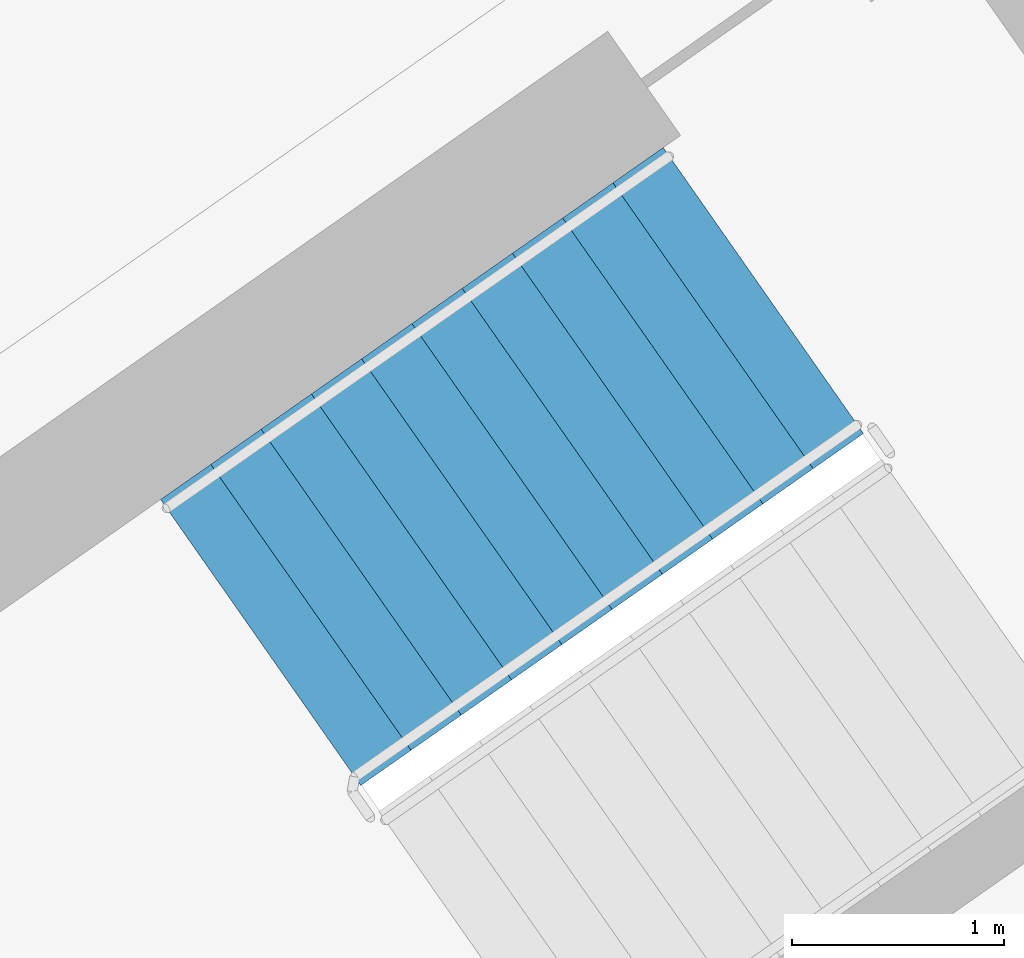
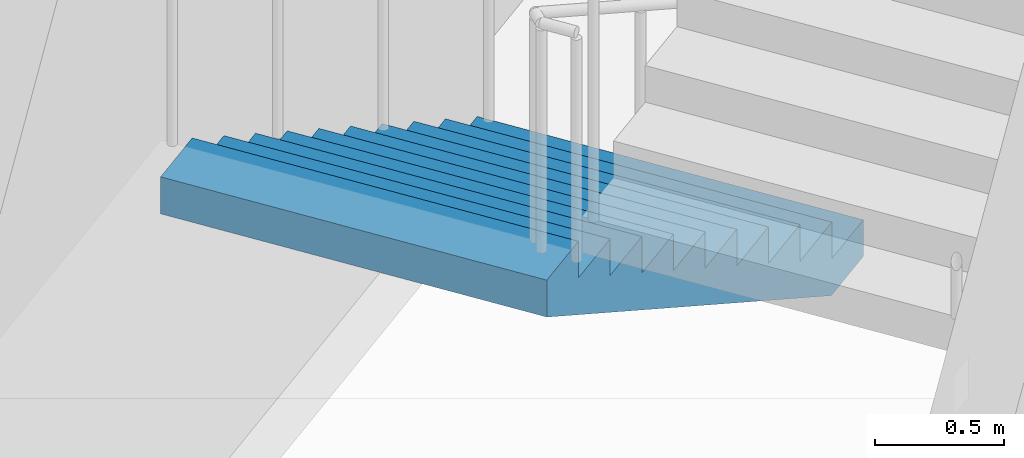
# One storey, part 17 of 28: 1 stair flight, 1 element without a shape of its own.
"""IFC4 building model written with IfcOpenShell, lengths in metres."""

import ifcopenshell
import ifcopenshell.guid

model = None  # the IFC model being written
_history = None  # IfcOwnerHistory: only IFC2X3 demands one
_inside = {}  # id of a spatial element -> (the spatial element, [elements in it])
_under = {}  # id of a project, library or spatial element -> (it, [spatial elements below it])
_declared = {}  # id of a project -> (the project, [libraries it declares])
_typed = {}  # id of a type object -> (the type object, [elements of that type])
_made_of = {}  # id of a material, layer set ... -> (it, [elements and type objects made of it])


def new_model(schema):
    """Start an empty IFC model of exactly this schema.

    Asked for "IFC4X3", IfcOpenShell would pick the latest addendum, in which some entities
    have other attributes; the version numbers below select the first issue.
    IFC2X3 requires an IfcOwnerHistory on every rooted entity: one is made here for all.
    """
    global model, _history
    if schema == "IFC4X3":
        model = ifcopenshell.file(schema_version=(4, 3, 0, 0))
    else:
        model = ifcopenshell.file(schema=schema)
    _inside.clear()
    _under.clear()
    _declared.clear()
    _typed.clear()
    _made_of.clear()
    _history = None
    if model.schema == "IFC2X3":
        org = make("IfcOrganization", Name="unknown")
        user = make(
            "IfcPersonAndOrganization",
            ThePerson=make("IfcPerson", FamilyName="unknown"),
            TheOrganization=org,
        )
        app = make(
            "IfcApplication",
            ApplicationDeveloper=org,
            Version="unknown",
            ApplicationFullName="unknown",
            ApplicationIdentifier="unknown",
        )
        _history = make(
            "IfcOwnerHistory",
            OwningUser=user,
            OwningApplication=app,
            ChangeAction="ADDED",
            CreationDate=0,
        )
    return model


def make(cls, **values):
    """One entity of the class cls with the attributes given. An attribute that is None is left unset."""
    return model.create_entity(
        cls, **{name: value for name, value in values.items() if value is not None}
    )


def rooted(cls, **values):
    """An entity with a GlobalId (a new one), such as an element, a storey or a relation."""
    return make(cls, GlobalId=ifcopenshell.guid.new(), OwnerHistory=_history, **values)


def si_unit(unit_type, name, prefix=None):
    """IfcSIUnit, for example si_unit("LENGTHUNIT", "METRE", prefix="MILLI")."""
    return make("IfcSIUnit", UnitType=unit_type, Prefix=prefix, Name=name)


def assignment(units):
    """IfcUnitAssignment: the units of a project."""
    return None if units is None else make("IfcUnitAssignment", Units=units)


def point(xyz):
    """IfcCartesianPoint."""
    return None if xyz is None else make("IfcCartesianPoint", Coordinates=xyz)


def direction(xyz):
    """IfcDirection."""
    return None if xyz is None else make("IfcDirection", DirectionRatios=xyz)


def frame(location, z_axis=None, x_axis=None):
    """IfcAxis2Placement3D, a coordinate frame: its origin and axes. An axis left out is left unset."""
    return make(
        "IfcAxis2Placement3D",
        Location=point(location),
        Axis=direction(z_axis),
        RefDirection=direction(x_axis),
    )


def origin():
    """The frame at (0, 0, 0) with its axes left unset."""
    return frame((0.0, 0.0, 0.0))


def place(relative_to, where):
    """IfcLocalPlacement: puts the frame where relative to a parent placement (None: the world)."""
    return make(
        "IfcLocalPlacement", PlacementRelTo=relative_to, RelativePlacement=where
    )


def context(
    kind, dimensions, precision=None, world=None, true_north=None, identifier=None
):
    """IfcGeometricRepresentationContext, for example the 3D "Model" context."""
    return make(
        "IfcGeometricRepresentationContext",
        ContextIdentifier=identifier,
        ContextType=kind,
        CoordinateSpaceDimension=dimensions,
        Precision=precision,
        WorldCoordinateSystem=world,
        TrueNorth=true_north,
    )


def subcontext(parent, identifier, kind, view, scale=None):
    """IfcGeometricRepresentationSubContext, for example "Body" below "Model"."""
    return make(
        "IfcGeometricRepresentationSubContext",
        ContextIdentifier=identifier,
        ContextType=kind,
        ParentContext=parent,
        TargetScale=scale,
        TargetView=view,
    )


def project(units=None, contexts=None):
    """IfcProject with its units and contexts."""
    return rooted(
        "IfcProject",
        Name="project",
        RepresentationContexts=contexts,
        UnitsInContext=assignment(units),
    )


def spatial(cls, under=None, at=None, **own):
    """A site, building, storey or space (cls), placed at a placement, below another one or the project."""
    s = rooted(cls, ObjectPlacement=at, **own)
    if under is not None:
        _under.setdefault(under.id(), (under, []))[1].append(s)
    return s


def faces_of(points, faces, orient=None, outer=None):
    """IfcFace entities. A face is a list of loops; a loop is a list of indices into points, from 0.

    orient and outer hold one flag for each loop. By default every Orientation is true, the
    first loop of a face is its IfcFaceOuterBound and the others are IfcFaceBound.
    """
    made = []
    for i, loops in enumerate(faces):
        bounds = []
        for j, loop in enumerate(loops):
            is_outer = j == 0 if outer is None else outer[i][j]
            bounds.append(
                make(
                    "IfcFaceOuterBound" if is_outer else "IfcFaceBound",
                    Bound=make("IfcPolyLoop", Polygon=[points[k] for k in loop]),
                    Orientation=True if orient is None else orient[i][j],
                )
            )
        made.append(make("IfcFace", Bounds=bounds))
    return made


def faceted_brep(points, faces, orient=None, outer=None, voids=None):
    """IfcFacetedBrep: a solid bounded by flat faces; with voids (closed shells), ...WithVoids."""
    shared = [point(p) for p in points]
    hull = make("IfcClosedShell", CfsFaces=faces_of(shared, faces, orient, outer))
    if voids is None:
        return make("IfcFacetedBrep", Outer=hull)
    return make(
        "IfcFacetedBrepWithVoids",
        Outer=hull,
        Voids=[
            make(cls, CfsFaces=faces_of(shared, fs, o, b)) for cls, fs, o, b in voids
        ],
    )


def shape(context_of_items, identifier, shape_type, items):
    """IfcShapeRepresentation: the items that make up one representation, for example the "Body"."""
    return make(
        "IfcShapeRepresentation",
        ContextOfItems=context_of_items,
        RepresentationIdentifier=identifier,
        RepresentationType=shape_type,
        Items=items,
    )


def material(Name=None, Category=None):
    """IfcMaterial."""
    return make("IfcMaterial", Name=Name, Category=Category)


def made_of(thing, what):
    """Note that an element or type object is made of a material, layer set ...; save() writes the relation."""
    if what is not None:
        _made_of.setdefault(what.id(), (what, []))[1].append(thing)
    return thing


def type_object(cls, material=None, **own):
    """A type object (cls), such as IfcWallType, which elements share."""
    return made_of(rooted(cls, **own), material)


def element(
    cls,
    number,
    at=None,
    inside=None,
    cuts=None,
    type_object=None,
    material=None,
    context=None,
    identifier="Body",
    shape_type=None,
    held_by="IfcProductDefinitionShape",
    body=None,
    shapes=None,
    **own,
):
    """One element of the class cls, such as IfcWall. Its Tag is "e" and its number.

    at: its placement. inside: the storey or other place that contains it. cuts: it is an
    opening in that element (IfcRelVoidsElement). A single representation is given by context,
    identifier, shape_type and body (its items); several are given by shapes. held_by: the class
    of the entity that holds the representations. save() writes the other relations.
    """
    e = rooted(cls, Tag="e%d" % number, ObjectPlacement=at, **own)
    if body is not None:
        shapes = [shape(context, identifier, shape_type, body)]
    if shapes is not None:
        e.Representation = make(held_by, Representations=shapes)
    if inside is not None:
        _inside.setdefault(inside.id(), (inside, []))[1].append(e)
    if cuts is not None:
        rooted(
            "IfcRelVoidsElement", RelatingBuildingElement=cuts, RelatedOpeningElement=e
        )
    if type_object is not None:
        _typed.setdefault(type_object.id(), (type_object, []))[1].append(e)
    return made_of(e, material)


def aggregate(whole, parts):
    """IfcRelAggregates: a whole, such as a stair, and the parts it consists of."""
    return rooted("IfcRelAggregates", RelatingObject=whole, RelatedObjects=parts)


def save(model, path):
    """Write the relations noted so far, then the file.

    IfcRelAggregates (storeys below a building ...), IfcRelContainedInSpatialStructure (elements
    in a storey), IfcRelDefinesByType, IfcRelAssociatesMaterial and IfcRelDeclares: one each for
    every whole, place, type object, material and project.
    """
    for whole, parts in _under.values():
        aggregate(whole, parts)
    for where, things in _inside.values():
        rooted(
            "IfcRelContainedInSpatialStructure",
            RelatedElements=things,
            RelatingStructure=where,
        )
    for kind, things in _typed.values():
        rooted("IfcRelDefinesByType", RelatedObjects=things, RelatingType=kind)
    for what, things in _made_of.values():
        rooted("IfcRelAssociatesMaterial", RelatedObjects=things, RelatingMaterial=what)
    for by, libraries in _declared.values():
        rooted("IfcRelDeclares", RelatingContext=by, RelatedDefinitions=libraries)
    model.write(path)


model = new_model("IFC4")

# Units and contexts
model_context = context("Model", 3, precision=1e-05, world=origin(), true_north=direction((0.0, 1.0)))
body_context = subcontext(model_context, "Body", "Model", "MODEL_VIEW")
ifc_project = project(units=[si_unit("LENGTHUNIT", "METRE"), si_unit("AREAUNIT", "SQUARE_METRE"), si_unit("VOLUMEUNIT", "CUBIC_METRE"), si_unit("PLANEANGLEUNIT", "RADIAN"), si_unit("MASSUNIT", "GRAM", prefix="KILO")], contexts=[model_context])

# Site, building, storey
site_placement = place(None, origin())
site = spatial("IfcSite", under=ifc_project, at=site_placement, CompositionType="ELEMENT")
building_placement = place(site_placement, origin())
building = spatial("IfcBuilding", under=site, at=building_placement, Name="Qamariyya Broadcast Tower", CompositionType="ELEMENT")
storey_placement = place(building_placement, frame((0.0, 0.0, 277.10009765625)))
storey = spatial("IfcBuildingStorey", under=building, at=storey_placement, Name="L67", CompositionType="ELEMENT", Elevation=277.10009765625)

# Stair, stair flight
ifc_material = material(Name="Concrete C50/60", Category="concrete")
stair_type = type_object("IfcStairType", Name="Exit stair 22 risers of 173 mm", PredefinedType="HALF_TURN_STAIR", material=ifc_material)
stair_placement = place(storey_placement, origin())
stair = element("IfcStair", 1, at=stair_placement, inside=storey, type_object=stair_type, Name="L67 Stair E2", PredefinedType="HALF_TURN_STAIR")
stair_flight_type = type_object("IfcStairFlightType", Name="Exit stair flight 11 risers of 173 mm", PredefinedType="STRAIGHT", material=ifc_material)
stair_flight_placement = place(storey_placement, frame((40.558837890625, -47.685302734375, 0.0), z_axis=(0.0, 0.0, 1.0), x_axis=(-0.819152044289, -0.573576436351, 0.0)))
stair_flight = element("IfcStairFlight", 2, at=stair_flight_placement, type_object=stair_flight_type, Name="ST-E2 flight 1", NumberOfRisers=11, NumberOfTreads=10, PredefinedType="STRAIGHT", RiserHeight=0.172727273, TreadLength=0.29, context=body_context, shape_type="Brep", body=[
    faceted_brep([(0.0, 0.824951171875, 0.0), (0.0, 0.824951171875, 0.172607421875), (0.2900390625, 0.824951171875, 0.172607421875), (0.2900390625, 0.824951171875, 0.345458984375), (0.580078125, 0.824951171875, 0.345458984375), (0.580078125, 0.824951171875, 0.51806640625), (0.8701171875, 0.824951171875, 0.51806640625), (0.8701171875, 0.824951171875, 0.69091796875), (1.159912109375, 0.824951171875, 0.69091796875), (1.159912109375, 0.824951171875, 0.863525390625), (1.449951171875, 0.824951171875, 0.863525390625), (1.449951171875, 0.824951171875, 1.036376953125), (1.739990234375, 0.824951171875, 1.036376953125), (1.739990234375, 0.824951171875, 1.208984375), (2.030029296875, 0.824951171875, 1.208984375), (2.030029296875, 0.824951171875, 1.3818359375), (2.320068359375, 0.824951171875, 1.3818359375), (2.320068359375, 0.824951171875, 1.554443359375), (2.610107421875, 0.824951171875, 1.554443359375), (2.610107421875, 0.824951171875, 1.727294921875), (2.89990234375, 0.824951171875, 1.727294921875), (2.89990234375, 0.824951171875, 1.552734375), (0.29296875, 0.824951171875, 0.0), (0.29296875, -0.824951171875, 0.0), (2.89990234375, -0.824951171875, 1.552734375), (2.89990234375, -0.824951171875, 1.727294921875), (2.610107421875, -0.824951171875, 1.727294921875), (2.610107421875, -0.824951171875, 1.554443359375), (2.320068359375, -0.824951171875, 1.554443359375), (2.320068359375, -0.824951171875, 1.3818359375), (2.030029296875, -0.824951171875, 1.3818359375), (2.030029296875, -0.824951171875, 1.208984375), (1.739990234375, -0.824951171875, 1.208984375), (1.739990234375, -0.824951171875, 1.036376953125), (1.449951171875, -0.824951171875, 1.036376953125), (1.449951171875, -0.824951171875, 0.863525390625), (1.159912109375, -0.824951171875, 0.863525390625), (1.159912109375, -0.824951171875, 0.69091796875), (0.8701171875, -0.824951171875, 0.69091796875), (0.8701171875, -0.824951171875, 0.51806640625), (0.580078125, -0.824951171875, 0.51806640625), (0.580078125, -0.824951171875, 0.345458984375), (0.2900390625, -0.824951171875, 0.345458984375), (0.2900390625, -0.824951171875, 0.172607421875), (0.0, -0.824951171875, 0.172607421875), (0.0, -0.824951171875, 0.0), (0.0, 0.10009765625, 0.0), (0.0, 0.086669921875, 0.0), (0.0, 0.0732421875, 0.0), (0.0, 0.06005859375, 0.0), (0.0, 0.046630859375, 0.0), (0.0, 0.033447265625, 0.0), (0.0, 0.02001953125, 0.0), (0.0, 0.006591796875, 0.0), (0.0, -0.006591796875, 0.0), (0.0, -0.02001953125, 0.0), (0.0, -0.033447265625, 0.0), (0.0, -0.046630859375, 0.0), (0.0, -0.06005859375, 0.0), (0.0, -0.0732421875, 0.0), (0.0, -0.086669921875, 0.0), (0.0, -0.10009765625, 0.0), (0.0, -0.10009765625, 0.172607421875), (0.0, -0.086669921875, 0.172607421875), (0.0, -0.0732421875, 0.172607421875), (0.0, -0.06005859375, 0.172607421875), (0.0, -0.046630859375, 0.172607421875), (0.0, -0.033447265625, 0.172607421875), (0.0, -0.02001953125, 0.172607421875), (0.0, -0.006591796875, 0.172607421875), (0.0, 0.006591796875, 0.172607421875), (0.0, 0.02001953125, 0.172607421875), (0.0, 0.033447265625, 0.172607421875), (0.0, 0.046630859375, 0.172607421875), (0.0, 0.06005859375, 0.172607421875), (0.0, 0.0732421875, 0.172607421875), (0.0, 0.086669921875, 0.172607421875), (0.0, 0.10009765625, 0.172607421875), (0.2900390625, -0.10009765625, 0.172607421875), (0.2900390625, -0.086669921875, 0.172607421875), (0.2900390625, -0.0732421875, 0.172607421875), (0.2900390625, -0.06005859375, 0.172607421875), (0.2900390625, -0.046630859375, 0.172607421875), (0.2900390625, -0.033447265625, 0.172607421875), (0.2900390625, -0.02001953125, 0.172607421875), (0.2900390625, -0.006591796875, 0.172607421875), (0.2900390625, 0.006591796875, 0.172607421875), (0.2900390625, 0.02001953125, 0.172607421875), (0.2900390625, 0.033447265625, 0.172607421875), (0.2900390625, 0.046630859375, 0.172607421875), (0.2900390625, 0.06005859375, 0.172607421875), (0.2900390625, 0.0732421875, 0.172607421875), (0.2900390625, 0.086669921875, 0.172607421875), (0.2900390625, 0.10009765625, 0.172607421875), (0.2900390625, -0.10009765625, 0.345458984375), (0.2900390625, -0.086669921875, 0.345458984375), (0.2900390625, -0.0732421875, 0.345458984375), (0.2900390625, -0.06005859375, 0.345458984375), (0.2900390625, -0.046630859375, 0.345458984375), (0.2900390625, -0.033447265625, 0.345458984375), (0.2900390625, -0.02001953125, 0.345458984375), (0.2900390625, -0.006591796875, 0.345458984375), (0.2900390625, 0.006591796875, 0.345458984375), (0.2900390625, 0.02001953125, 0.345458984375), (0.2900390625, 0.033447265625, 0.345458984375), (0.2900390625, 0.046630859375, 0.345458984375), (0.2900390625, 0.06005859375, 0.345458984375), (0.2900390625, 0.0732421875, 0.345458984375), (0.2900390625, 0.086669921875, 0.345458984375), (0.2900390625, 0.10009765625, 0.345458984375), (0.580078125, -0.10009765625, 0.345458984375), (0.580078125, -0.086669921875, 0.345458984375), (0.580078125, -0.0732421875, 0.345458984375), (0.580078125, -0.06005859375, 0.345458984375), (0.580078125, -0.046630859375, 0.345458984375), (0.580078125, -0.033447265625, 0.345458984375), (0.580078125, -0.02001953125, 0.345458984375), (0.580078125, -0.006591796875, 0.345458984375), (0.580078125, 0.006591796875, 0.345458984375), (0.580078125, 0.02001953125, 0.345458984375), (0.580078125, 0.033447265625, 0.345458984375), (0.580078125, 0.046630859375, 0.345458984375), (0.580078125, 0.06005859375, 0.345458984375), (0.580078125, 0.0732421875, 0.345458984375), (0.580078125, 0.086669921875, 0.345458984375), (0.580078125, 0.10009765625, 0.345458984375), (0.580078125, -0.10009765625, 0.51806640625), (0.580078125, -0.086669921875, 0.51806640625), (0.580078125, -0.0732421875, 0.51806640625), (0.580078125, -0.06005859375, 0.51806640625), (0.580078125, -0.046630859375, 0.51806640625), (0.580078125, -0.033447265625, 0.51806640625), (0.580078125, -0.02001953125, 0.51806640625), (0.580078125, -0.006591796875, 0.51806640625), (0.580078125, 0.006591796875, 0.51806640625), (0.580078125, 0.02001953125, 0.51806640625), (0.580078125, 0.033447265625, 0.51806640625), (0.580078125, 0.046630859375, 0.51806640625), (0.580078125, 0.06005859375, 0.51806640625), (0.580078125, 0.0732421875, 0.51806640625), (0.580078125, 0.086669921875, 0.51806640625), (0.580078125, 0.10009765625, 0.51806640625), (0.8701171875, -0.10009765625, 0.51806640625), (0.8701171875, -0.086669921875, 0.51806640625), (0.8701171875, -0.0732421875, 0.51806640625), (0.8701171875, -0.06005859375, 0.51806640625), (0.8701171875, -0.046630859375, 0.51806640625), (0.8701171875, -0.033447265625, 0.51806640625), (0.8701171875, -0.02001953125, 0.51806640625), (0.8701171875, -0.006591796875, 0.51806640625), (0.8701171875, 0.006591796875, 0.51806640625), (0.8701171875, 0.02001953125, 0.51806640625), (0.8701171875, 0.033447265625, 0.51806640625), (0.8701171875, 0.046630859375, 0.51806640625), (0.8701171875, 0.06005859375, 0.51806640625), (0.8701171875, 0.0732421875, 0.51806640625), (0.8701171875, 0.086669921875, 0.51806640625), (0.8701171875, 0.10009765625, 0.51806640625), (0.8701171875, -0.10009765625, 0.69091796875), (0.8701171875, -0.086669921875, 0.69091796875), (0.8701171875, -0.0732421875, 0.69091796875), (0.8701171875, -0.06005859375, 0.69091796875), (0.8701171875, -0.046630859375, 0.69091796875), (0.8701171875, -0.033447265625, 0.69091796875), (0.8701171875, -0.02001953125, 0.69091796875), (0.8701171875, -0.006591796875, 0.69091796875), (0.8701171875, 0.006591796875, 0.69091796875), (0.8701171875, 0.02001953125, 0.69091796875), (0.8701171875, 0.033447265625, 0.69091796875), (0.8701171875, 0.046630859375, 0.69091796875), (0.8701171875, 0.06005859375, 0.69091796875), (0.8701171875, 0.0732421875, 0.69091796875), (0.8701171875, 0.086669921875, 0.69091796875), (0.8701171875, 0.10009765625, 0.69091796875), (1.159912109375, -0.10009765625, 0.69091796875), (1.159912109375, -0.086669921875, 0.69091796875), (1.159912109375, -0.0732421875, 0.69091796875), (1.159912109375, -0.06005859375, 0.69091796875), (1.159912109375, -0.046630859375, 0.69091796875), (1.159912109375, -0.033447265625, 0.69091796875), (1.159912109375, -0.02001953125, 0.69091796875), (1.159912109375, -0.006591796875, 0.69091796875), (1.159912109375, 0.006591796875, 0.69091796875), (1.159912109375, 0.02001953125, 0.69091796875), (1.159912109375, 0.033447265625, 0.69091796875), (1.159912109375, 0.046630859375, 0.69091796875), (1.159912109375, 0.06005859375, 0.69091796875), (1.159912109375, 0.0732421875, 0.69091796875), (1.159912109375, 0.086669921875, 0.69091796875), (1.159912109375, 0.10009765625, 0.69091796875), (1.159912109375, -0.10009765625, 0.863525390625), (1.159912109375, -0.086669921875, 0.863525390625), (1.159912109375, -0.0732421875, 0.863525390625), (1.159912109375, -0.06005859375, 0.863525390625), (1.159912109375, -0.046630859375, 0.863525390625), (1.159912109375, -0.033447265625, 0.863525390625), (1.159912109375, -0.02001953125, 0.863525390625), (1.159912109375, -0.006591796875, 0.863525390625), (1.159912109375, 0.006591796875, 0.863525390625), (1.159912109375, 0.02001953125, 0.863525390625), (1.159912109375, 0.033447265625, 0.863525390625), (1.159912109375, 0.046630859375, 0.863525390625), (1.159912109375, 0.06005859375, 0.863525390625), (1.159912109375, 0.0732421875, 0.863525390625), (1.159912109375, 0.086669921875, 0.863525390625), (1.159912109375, 0.10009765625, 0.863525390625), (1.449951171875, -0.10009765625, 0.863525390625), (1.449951171875, -0.086669921875, 0.863525390625), (1.449951171875, -0.0732421875, 0.863525390625), (1.449951171875, -0.06005859375, 0.863525390625), (1.449951171875, -0.046630859375, 0.863525390625), (1.449951171875, -0.033447265625, 0.863525390625), (1.449951171875, -0.02001953125, 0.863525390625), (1.449951171875, -0.006591796875, 0.863525390625), (1.449951171875, 0.006591796875, 0.863525390625), (1.449951171875, 0.02001953125, 0.863525390625), (1.449951171875, 0.033447265625, 0.863525390625), (1.449951171875, 0.046630859375, 0.863525390625), (1.449951171875, 0.06005859375, 0.863525390625), (1.449951171875, 0.0732421875, 0.863525390625), (1.449951171875, 0.086669921875, 0.863525390625), (1.449951171875, 0.10009765625, 0.863525390625), (1.449951171875, -0.10009765625, 1.036376953125), (1.449951171875, -0.086669921875, 1.036376953125), (1.449951171875, -0.0732421875, 1.036376953125), (1.449951171875, -0.06005859375, 1.036376953125), (1.449951171875, -0.046630859375, 1.036376953125), (1.449951171875, -0.033447265625, 1.036376953125), (1.449951171875, -0.02001953125, 1.036376953125), (1.449951171875, -0.006591796875, 1.036376953125), (1.449951171875, 0.006591796875, 1.036376953125), (1.449951171875, 0.02001953125, 1.036376953125), (1.449951171875, 0.033447265625, 1.036376953125), (1.449951171875, 0.046630859375, 1.036376953125), (1.449951171875, 0.06005859375, 1.036376953125), (1.449951171875, 0.0732421875, 1.036376953125), (1.449951171875, 0.086669921875, 1.036376953125), (1.449951171875, 0.10009765625, 1.036376953125), (1.739990234375, -0.10009765625, 1.036376953125), (1.739990234375, -0.086669921875, 1.036376953125), (1.739990234375, -0.0732421875, 1.036376953125), (1.739990234375, -0.06005859375, 1.036376953125), (1.739990234375, -0.046630859375, 1.036376953125), (1.739990234375, -0.033447265625, 1.036376953125), (1.739990234375, -0.02001953125, 1.036376953125), (1.739990234375, -0.006591796875, 1.036376953125), (1.739990234375, 0.006591796875, 1.036376953125), (1.739990234375, 0.02001953125, 1.036376953125), (1.739990234375, 0.033447265625, 1.036376953125), (1.739990234375, 0.046630859375, 1.036376953125), (1.739990234375, 0.06005859375, 1.036376953125), (1.739990234375, 0.0732421875, 1.036376953125), (1.739990234375, 0.086669921875, 1.036376953125), (1.739990234375, 0.10009765625, 1.036376953125), (1.739990234375, -0.10009765625, 1.208984375), (1.739990234375, -0.086669921875, 1.208984375), (1.739990234375, -0.0732421875, 1.208984375), (1.739990234375, -0.06005859375, 1.208984375), (1.739990234375, -0.046630859375, 1.208984375), (1.739990234375, -0.033447265625, 1.208984375), (1.739990234375, -0.02001953125, 1.208984375), (1.739990234375, -0.006591796875, 1.208984375), (1.739990234375, 0.006591796875, 1.208984375), (1.739990234375, 0.02001953125, 1.208984375), (1.739990234375, 0.033447265625, 1.208984375), (1.739990234375, 0.046630859375, 1.208984375), (1.739990234375, 0.06005859375, 1.208984375), (1.739990234375, 0.0732421875, 1.208984375), (1.739990234375, 0.086669921875, 1.208984375), (1.739990234375, 0.10009765625, 1.208984375), (2.030029296875, -0.10009765625, 1.208984375), (2.030029296875, -0.086669921875, 1.208984375), (2.030029296875, -0.0732421875, 1.208984375), (2.030029296875, -0.06005859375, 1.208984375), (2.030029296875, -0.046630859375, 1.208984375), (2.030029296875, -0.033447265625, 1.208984375), (2.030029296875, -0.02001953125, 1.208984375), (2.030029296875, -0.006591796875, 1.208984375), (2.030029296875, 0.006591796875, 1.208984375), (2.030029296875, 0.02001953125, 1.208984375), (2.030029296875, 0.033447265625, 1.208984375), (2.030029296875, 0.046630859375, 1.208984375), (2.030029296875, 0.06005859375, 1.208984375), (2.030029296875, 0.0732421875, 1.208984375), (2.030029296875, 0.086669921875, 1.208984375), (2.030029296875, 0.10009765625, 1.208984375), (2.030029296875, -0.10009765625, 1.3818359375), (2.030029296875, -0.086669921875, 1.3818359375), (2.030029296875, -0.0732421875, 1.3818359375), (2.030029296875, -0.06005859375, 1.3818359375), (2.030029296875, -0.046630859375, 1.3818359375), (2.030029296875, -0.033447265625, 1.3818359375), (2.030029296875, -0.02001953125, 1.3818359375), (2.030029296875, -0.006591796875, 1.3818359375), (2.030029296875, 0.006591796875, 1.3818359375), (2.030029296875, 0.02001953125, 1.3818359375), (2.030029296875, 0.033447265625, 1.3818359375), (2.030029296875, 0.046630859375, 1.3818359375), (2.030029296875, 0.06005859375, 1.3818359375), (2.030029296875, 0.0732421875, 1.3818359375), (2.030029296875, 0.086669921875, 1.3818359375), (2.030029296875, 0.10009765625, 1.3818359375), (2.320068359375, -0.10009765625, 1.3818359375), (2.320068359375, -0.086669921875, 1.3818359375), (2.320068359375, -0.0732421875, 1.3818359375), (2.320068359375, -0.06005859375, 1.3818359375), (2.320068359375, -0.046630859375, 1.3818359375), (2.320068359375, -0.033447265625, 1.3818359375), (2.320068359375, -0.02001953125, 1.3818359375), (2.320068359375, -0.006591796875, 1.3818359375), (2.320068359375, 0.006591796875, 1.3818359375), (2.320068359375, 0.02001953125, 1.3818359375), (2.320068359375, 0.033447265625, 1.3818359375), (2.320068359375, 0.046630859375, 1.3818359375), (2.320068359375, 0.06005859375, 1.3818359375), (2.320068359375, 0.0732421875, 1.3818359375), (2.320068359375, 0.086669921875, 1.3818359375), (2.320068359375, 0.10009765625, 1.3818359375), (2.320068359375, -0.10009765625, 1.554443359375), (2.320068359375, -0.086669921875, 1.554443359375), (2.320068359375, -0.0732421875, 1.554443359375), (2.320068359375, -0.06005859375, 1.554443359375), (2.320068359375, -0.046630859375, 1.554443359375), (2.320068359375, -0.033447265625, 1.554443359375), (2.320068359375, -0.02001953125, 1.554443359375), (2.320068359375, -0.006591796875, 1.554443359375), (2.320068359375, 0.006591796875, 1.554443359375), (2.320068359375, 0.02001953125, 1.554443359375), (2.320068359375, 0.033447265625, 1.554443359375), (2.320068359375, 0.046630859375, 1.554443359375), (2.320068359375, 0.06005859375, 1.554443359375), (2.320068359375, 0.0732421875, 1.554443359375), (2.320068359375, 0.086669921875, 1.554443359375), (2.320068359375, 0.10009765625, 1.554443359375), (2.610107421875, -0.10009765625, 1.554443359375), (2.610107421875, -0.086669921875, 1.554443359375), (2.610107421875, -0.0732421875, 1.554443359375), (2.610107421875, -0.06005859375, 1.554443359375), (2.610107421875, -0.046630859375, 1.554443359375), (2.610107421875, -0.033447265625, 1.554443359375), (2.610107421875, -0.02001953125, 1.554443359375), (2.610107421875, -0.006591796875, 1.554443359375), (2.610107421875, 0.006591796875, 1.554443359375), (2.610107421875, 0.02001953125, 1.554443359375), (2.610107421875, 0.033447265625, 1.554443359375), (2.610107421875, 0.046630859375, 1.554443359375), (2.610107421875, 0.06005859375, 1.554443359375), (2.610107421875, 0.0732421875, 1.554443359375), (2.610107421875, 0.086669921875, 1.554443359375), (2.610107421875, 0.10009765625, 1.554443359375), (2.610107421875, -0.10009765625, 1.727294921875), (2.610107421875, -0.086669921875, 1.727294921875), (2.610107421875, -0.0732421875, 1.727294921875), (2.610107421875, -0.06005859375, 1.727294921875), (2.610107421875, -0.046630859375, 1.727294921875), (2.610107421875, -0.033447265625, 1.727294921875), (2.610107421875, -0.02001953125, 1.727294921875), (2.610107421875, -0.006591796875, 1.727294921875), (2.610107421875, 0.006591796875, 1.727294921875), (2.610107421875, 0.02001953125, 1.727294921875), (2.610107421875, 0.033447265625, 1.727294921875), (2.610107421875, 0.046630859375, 1.727294921875), (2.610107421875, 0.06005859375, 1.727294921875), (2.610107421875, 0.0732421875, 1.727294921875), (2.610107421875, 0.086669921875, 1.727294921875), (2.610107421875, 0.10009765625, 1.727294921875), (2.89990234375, -0.10009765625, 1.727294921875), (2.89990234375, -0.086669921875, 1.727294921875), (2.89990234375, -0.0732421875, 1.727294921875), (2.89990234375, -0.06005859375, 1.727294921875), (2.89990234375, -0.046630859375, 1.727294921875), (2.89990234375, -0.033447265625, 1.727294921875), (2.89990234375, -0.02001953125, 1.727294921875), (2.89990234375, -0.006591796875, 1.727294921875), (2.89990234375, 0.006591796875, 1.727294921875), (2.89990234375, 0.02001953125, 1.727294921875), (2.89990234375, 0.033447265625, 1.727294921875), (2.89990234375, 0.046630859375, 1.727294921875), (2.89990234375, 0.06005859375, 1.727294921875), (2.89990234375, 0.0732421875, 1.727294921875), (2.89990234375, 0.086669921875, 1.727294921875), (2.89990234375, 0.10009765625, 1.727294921875), (2.89990234375, -0.10009765625, 1.552734375), (2.89990234375, -0.086669921875, 1.552734375), (2.89990234375, -0.0732421875, 1.552734375), (2.89990234375, -0.06005859375, 1.552734375), (2.89990234375, -0.046630859375, 1.552734375), (2.89990234375, -0.033447265625, 1.552734375), (2.89990234375, -0.02001953125, 1.552734375), (2.89990234375, -0.006591796875, 1.552734375), (2.89990234375, 0.006591796875, 1.552734375), (2.89990234375, 0.02001953125, 1.552734375), (2.89990234375, 0.033447265625, 1.552734375), (2.89990234375, 0.046630859375, 1.552734375), (2.89990234375, 0.06005859375, 1.552734375), (2.89990234375, 0.0732421875, 1.552734375), (2.89990234375, 0.086669921875, 1.552734375), (2.89990234375, 0.10009765625, 1.552734375), (0.29296875, -0.10009765625, 0.0), (0.29296875, -0.086669921875, 0.0), (0.29296875, -0.0732421875, 0.0), (0.29296875, -0.06005859375, 0.0), (0.29296875, -0.046630859375, 0.0), (0.29296875, -0.033447265625, 0.0), (0.29296875, -0.02001953125, 0.0), (0.29296875, -0.006591796875, 0.0), (0.29296875, 0.006591796875, 0.0), (0.29296875, 0.02001953125, 0.0), (0.29296875, 0.033447265625, 0.0), (0.29296875, 0.046630859375, 0.0), (0.29296875, 0.06005859375, 0.0), (0.29296875, 0.0732421875, 0.0), (0.29296875, 0.086669921875, 0.0), (0.29296875, 0.10009765625, 0.0)], [[[0, 1, 2, 3, 4, 5, 6, 7, 8, 9, 10, 11, 12, 13, 14, 15, 16, 17, 18, 19, 20, 21, 22]], [[23, 24, 25, 26, 27, 28, 29, 30, 31, 32, 33, 34, 35, 36, 37, 38, 39, 40, 41, 42, 43, 44, 45]], [[0, 46, 47, 48, 49, 50, 51, 52, 53, 54, 55, 56, 57, 58, 59, 60, 61, 45, 44, 62, 63, 64, 65, 66, 67, 68, 69, 70, 71, 72, 73, 74, 75, 76, 77, 1]], [[1, 77, 76, 75, 74, 73, 72, 71, 70, 69, 68, 67, 66, 65, 64, 63, 62, 44, 43, 78, 79, 80, 81, 82, 83, 84, 85, 86, 87, 88, 89, 90, 91, 92, 93, 2]], [[2, 93, 92, 91, 90, 89, 88, 87, 86, 85, 84, 83, 82, 81, 80, 79, 78, 43, 42, 94, 95, 96, 97, 98, 99, 100, 101, 102, 103, 104, 105, 106, 107, 108, 109, 3]], [[3, 109, 108, 107, 106, 105, 104, 103, 102, 101, 100, 99, 98, 97, 96, 95, 94, 42, 41, 110, 111, 112, 113, 114, 115, 116, 117, 118, 119, 120, 121, 122, 123, 124, 125, 4]], [[4, 125, 124, 123, 122, 121, 120, 119, 118, 117, 116, 115, 114, 113, 112, 111, 110, 41, 40, 126, 127, 128, 129, 130, 131, 132, 133, 134, 135, 136, 137, 138, 139, 140, 141, 5]], [[5, 141, 140, 139, 138, 137, 136, 135, 134, 133, 132, 131, 130, 129, 128, 127, 126, 40, 39, 142, 143, 144, 145, 146, 147, 148, 149, 150, 151, 152, 153, 154, 155, 156, 157, 6]], [[6, 157, 156, 155, 154, 153, 152, 151, 150, 149, 148, 147, 146, 145, 144, 143, 142, 39, 38, 158, 159, 160, 161, 162, 163, 164, 165, 166, 167, 168, 169, 170, 171, 172, 173, 7]], [[7, 173, 172, 171, 170, 169, 168, 167, 166, 165, 164, 163, 162, 161, 160, 159, 158, 38, 37, 174, 175, 176, 177, 178, 179, 180, 181, 182, 183, 184, 185, 186, 187, 188, 189, 8]], [[8, 189, 188, 187, 186, 185, 184, 183, 182, 181, 180, 179, 178, 177, 176, 175, 174, 37, 36, 190, 191, 192, 193, 194, 195, 196, 197, 198, 199, 200, 201, 202, 203, 204, 205, 9]], [[9, 205, 204, 203, 202, 201, 200, 199, 198, 197, 196, 195, 194, 193, 192, 191, 190, 36, 35, 206, 207, 208, 209, 210, 211, 212, 213, 214, 215, 216, 217, 218, 219, 220, 221, 10]], [[10, 221, 220, 219, 218, 217, 216, 215, 214, 213, 212, 211, 210, 209, 208, 207, 206, 35, 34, 222, 223, 224, 225, 226, 227, 228, 229, 230, 231, 232, 233, 234, 235, 236, 237, 11]], [[11, 237, 236, 235, 234, 233, 232, 231, 230, 229, 228, 227, 226, 225, 224, 223, 222, 34, 33, 238, 239, 240, 241, 242, 243, 244, 245, 246, 247, 248, 249, 250, 251, 252, 253, 12]], [[12, 253, 252, 251, 250, 249, 248, 247, 246, 245, 244, 243, 242, 241, 240, 239, 238, 33, 32, 254, 255, 256, 257, 258, 259, 260, 261, 262, 263, 264, 265, 266, 267, 268, 269, 13]], [[13, 269, 268, 267, 266, 265, 264, 263, 262, 261, 260, 259, 258, 257, 256, 255, 254, 32, 31, 270, 271, 272, 273, 274, 275, 276, 277, 278, 279, 280, 281, 282, 283, 284, 285, 14]], [[14, 285, 284, 283, 282, 281, 280, 279, 278, 277, 276, 275, 274, 273, 272, 271, 270, 31, 30, 286, 287, 288, 289, 290, 291, 292, 293, 294, 295, 296, 297, 298, 299, 300, 301, 15]], [[15, 301, 300, 299, 298, 297, 296, 295, 294, 293, 292, 291, 290, 289, 288, 287, 286, 30, 29, 302, 303, 304, 305, 306, 307, 308, 309, 310, 311, 312, 313, 314, 315, 316, 317, 16]], [[16, 317, 316, 315, 314, 313, 312, 311, 310, 309, 308, 307, 306, 305, 304, 303, 302, 29, 28, 318, 319, 320, 321, 322, 323, 324, 325, 326, 327, 328, 329, 330, 331, 332, 333, 17]], [[17, 333, 332, 331, 330, 329, 328, 327, 326, 325, 324, 323, 322, 321, 320, 319, 318, 28, 27, 334, 335, 336, 337, 338, 339, 340, 341, 342, 343, 344, 345, 346, 347, 348, 349, 18]], [[18, 349, 348, 347, 346, 345, 344, 343, 342, 341, 340, 339, 338, 337, 336, 335, 334, 27, 26, 350, 351, 352, 353, 354, 355, 356, 357, 358, 359, 360, 361, 362, 363, 364, 365, 19]], [[19, 365, 364, 363, 362, 361, 360, 359, 358, 357, 356, 355, 354, 353, 352, 351, 350, 26, 25, 366, 367, 368, 369, 370, 371, 372, 373, 374, 375, 376, 377, 378, 379, 380, 381, 20]], [[20, 381, 380, 379, 378, 377, 376, 375, 374, 373, 372, 371, 370, 369, 368, 367, 366, 25, 24, 382, 383, 384, 385, 386, 387, 388, 389, 390, 391, 392, 393, 394, 395, 396, 397, 21]], [[21, 397, 396, 395, 394, 393, 392, 391, 390, 389, 388, 387, 386, 385, 384, 383, 382, 24, 23, 398, 399, 400, 401, 402, 403, 404, 405, 406, 407, 408, 409, 410, 411, 412, 413, 22]], [[22, 413, 412, 411, 410, 409, 408, 407, 406, 405, 404, 403, 402, 401, 400, 399, 398, 23, 45, 61, 60, 59, 58, 57, 56, 55, 54, 53, 52, 51, 50, 49, 48, 47, 46, 0]]]),
])
aggregate(stair, [stair_flight])

save(model, "model.ifc")
